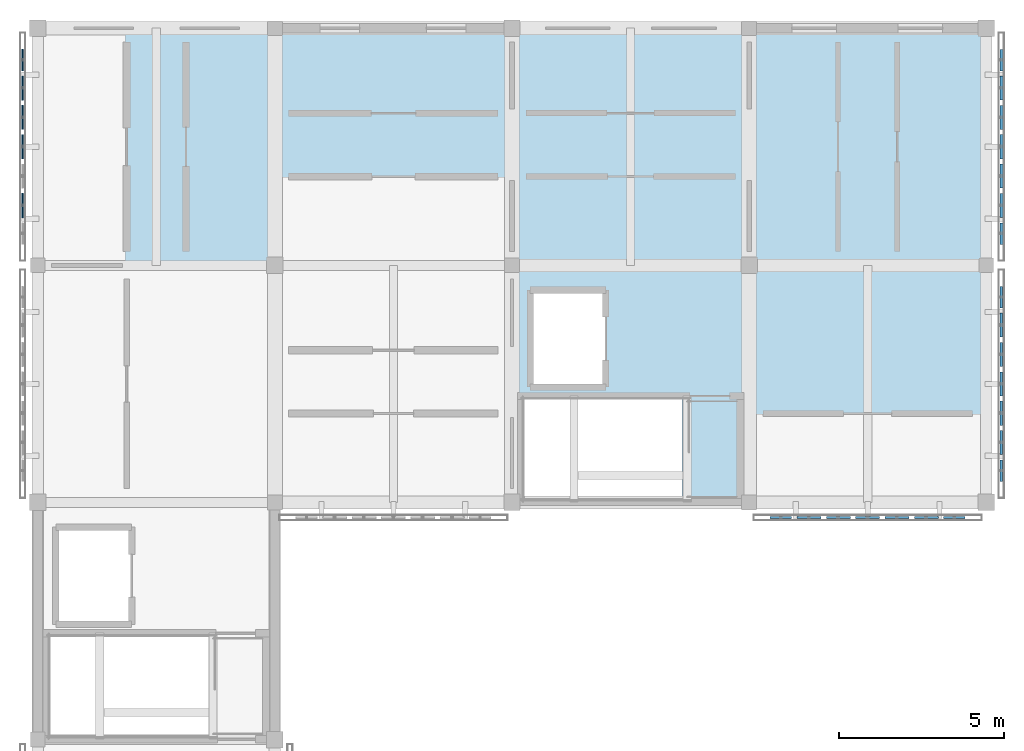
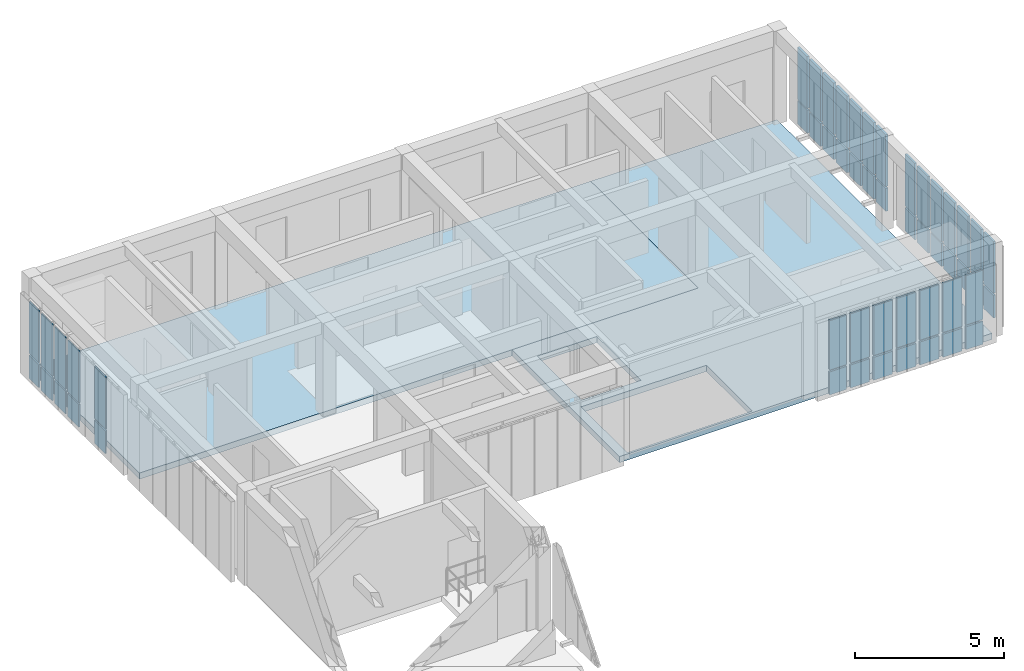
# One storey, part 9 of 14: 52 plates, 2 slabs, 4 elements without a shape of their own.
"""IFC4 building model written with IfcOpenShell, lengths in metres."""

from ifc_helpers import new_model, si_unit, direction, frame, origin, origin_2d, place, context, subcontext, project, spatial, polyline, rectangle, outline, extrude, material, layer, layer_set, type_object, element, aggregate, save


model = new_model("IFC4")

# Units and contexts
model_context = context("Model", 3, precision=1e-05, world=origin(), true_north=direction((0.0, 1.0)))
body_context = subcontext(model_context, "Body", "Model", "MODEL_VIEW")
ifc_project = project(units=[si_unit("LENGTHUNIT", "METRE"), si_unit("AREAUNIT", "SQUARE_METRE"), si_unit("VOLUMEUNIT", "CUBIC_METRE"), si_unit("PLANEANGLEUNIT", "RADIAN"), si_unit("MASSUNIT", "GRAM", prefix="KILO")], contexts=[model_context])

# Site, building, storey
site_placement = place(None, origin())
site = spatial("IfcSite", under=ifc_project, at=site_placement, CompositionType="ELEMENT")
building_placement = place(site_placement, origin())
building = spatial("IfcBuilding", under=site, at=building_placement, Name="Aldebral Square Health Centre", CompositionType="ELEMENT")
storey_placement = place(building_placement, frame((0.0, 0.0, 21.60009765625)))
storey = spatial("IfcBuildingStorey", under=building, at=storey_placement, Name="L05", CompositionType="ELEMENT", Elevation=21.60009765625)

# Curtain wall, plates
ifc_material_1 = material(Name="Aluminium and low-E solar glass", Category="aluminium")
curtain_wall_type = type_object("IfcCurtainWallType", Name="CW-FIN-SYS", PredefinedType="USERDEFINED", material=ifc_material_1)
curtain_wall_1_placement = place(storey_placement, origin())
curtain_wall_1 = element("IfcCurtainWall", 1, at=curtain_wall_1_placement, inside=storey, type_object=curtain_wall_type, Name="L05 V4 finned curtain wall L05-V4-00-15-W", ObjectType="SOLAR_CURTAIN_WALL", PredefinedType="USERDEFINED")
ifc_material_2 = material(Name="Solar-control low-E double glass", Category="glass")
ifc_layer_1 = layer(ifc_material_2, 0.050048828125, Name="Solar-control low-E double glass", Category="glass")
ifc_layer_set_1 = layer_set([ifc_layer_1], Name="Solar-control low-E double glass")
plate_type_1 = type_object("IfcPlateType", Name="CWP-GLZ-4", PredefinedType="CURTAIN_PANEL", material=ifc_layer_set_1)
plate_1_placement = place(storey_placement, frame((-0.4599609375, 114.234375, 0.074951171875), z_axis=(0.0, 0.0, 1.0), x_axis=(0.0, -1.0, 0.0)))
plate_1 = element("IfcPlate", 2, at=plate_1_placement, type_object=plate_type_1, Name="CW1 panel 1.1", PredefinedType="CURTAIN_PANEL", context=body_context, shape_type="SweptSolid", body=[
    extrude(rectangle(XDim=0.6513671875, YDim=0.050048828125, at=origin_2d()), origin(), (0.0, 0.0, 1.0), 0.9375),
])
plate_2_placement = place(storey_placement, frame((-0.4599609375, 114.234375, 1.08740234375), z_axis=(0.0, 0.0, 1.0), x_axis=(0.0, -1.0, 0.0)))
plate_2 = element("IfcPlate", 3, at=plate_2_placement, type_object=plate_type_1, Name="CW1 panel 1.2", PredefinedType="CURTAIN_PANEL", context=body_context, shape_type="SweptSolid", body=[
    extrude(rectangle(XDim=0.6513671875, YDim=0.050048828125, at=origin_2d()), origin(), (0.0, 0.0, 1.0), 2.117431640625),
])
plate_3_placement = place(storey_placement, frame((-0.4599609375, 113.3828125, 0.074951171875), z_axis=(0.0, 0.0, 1.0), x_axis=(0.0, -1.0, 0.0)))
plate_3 = element("IfcPlate", 4, at=plate_3_placement, type_object=plate_type_1, Name="CW1 panel 2.1", PredefinedType="CURTAIN_PANEL", context=body_context, shape_type="SweptSolid", body=[
    extrude(rectangle(XDim=0.7314453125, YDim=0.050048828125, at=origin_2d()), origin(), (0.0, 0.0, 1.0), 0.9375),
])
plate_4_placement = place(storey_placement, frame((-0.4599609375, 113.3828125, 1.08740234375), z_axis=(0.0, 0.0, 1.0), x_axis=(0.0, -1.0, 0.0)))
plate_4 = element("IfcPlate", 5, at=plate_4_placement, type_object=plate_type_1, Name="CW1 panel 2.2", PredefinedType="CURTAIN_PANEL", context=body_context, shape_type="SweptSolid", body=[
    extrude(rectangle(XDim=0.7314453125, YDim=0.050048828125, at=origin_2d()), origin(), (0.0, 0.0, 1.0), 2.117431640625),
])
plate_5_placement = place(storey_placement, frame((-0.4599609375, 112.491455078125, 0.074951171875), z_axis=(0.0, 0.0, 1.0), x_axis=(0.0, -1.0, 0.0)))
plate_5 = element("IfcPlate", 6, at=plate_5_placement, type_object=plate_type_1, Name="CW1 panel 3.1", PredefinedType="CURTAIN_PANEL", context=body_context, shape_type="SweptSolid", body=[
    extrude(rectangle(XDim=0.7314453125, YDim=0.050048828125, at=origin_2d()), origin(), (0.0, 0.0, 1.0), 0.9375),
])
plate_6_placement = place(storey_placement, frame((-0.4599609375, 112.491455078125, 1.08740234375), z_axis=(0.0, 0.0, 1.0), x_axis=(0.0, -1.0, 0.0)))
plate_6 = element("IfcPlate", 7, at=plate_6_placement, type_object=plate_type_1, Name="CW1 panel 3.2", PredefinedType="CURTAIN_PANEL", context=body_context, shape_type="SweptSolid", body=[
    extrude(rectangle(XDim=0.7314453125, YDim=0.050048828125, at=origin_2d()), origin(), (0.0, 0.0, 1.0), 2.117431640625),
])
plate_7_placement = place(storey_placement, frame((-0.4599609375, 111.60009765625, 0.074951171875), z_axis=(0.0, 0.0, 1.0), x_axis=(0.0, -1.0, 0.0)))
plate_7 = element("IfcPlate", 8, at=plate_7_placement, type_object=plate_type_1, Name="CW1 panel 4.1", PredefinedType="CURTAIN_PANEL", context=body_context, shape_type="SweptSolid", body=[
    extrude(rectangle(XDim=0.7314453125, YDim=0.050048828125, at=origin_2d()), origin(), (0.0, 0.0, 1.0), 0.9375),
])
plate_8_placement = place(storey_placement, frame((-0.4599609375, 111.60009765625, 1.08740234375), z_axis=(0.0, 0.0, 1.0), x_axis=(0.0, -1.0, 0.0)))
plate_8 = element("IfcPlate", 9, at=plate_8_placement, type_object=plate_type_1, Name="CW1 panel 4.2", PredefinedType="CURTAIN_PANEL", context=body_context, shape_type="SweptSolid", body=[
    extrude(rectangle(XDim=0.7314453125, YDim=0.050048828125, at=origin_2d()), origin(), (0.0, 0.0, 1.0), 2.117431640625),
])
plate_9_placement = place(storey_placement, frame((-0.4599609375, 109.817138671875, 0.074951171875), z_axis=(0.0, 0.0, 1.0), x_axis=(0.0, -1.0, 0.0)))
plate_9 = element("IfcPlate", 10, at=plate_9_placement, type_object=plate_type_1, Name="CW1 panel 6.1", PredefinedType="CURTAIN_PANEL", context=body_context, shape_type="SweptSolid", body=[
    extrude(rectangle(XDim=0.7314453125, YDim=0.050048828125, at=origin_2d()), origin(), (0.0, 0.0, 1.0), 0.9375),
])
plate_10_placement = place(storey_placement, frame((-0.4599609375, 109.817138671875, 1.08740234375), z_axis=(0.0, 0.0, 1.0), x_axis=(0.0, -1.0, 0.0)))
plate_10 = element("IfcPlate", 11, at=plate_10_placement, type_object=plate_type_1, Name="CW1 panel 6.2", PredefinedType="CURTAIN_PANEL", context=body_context, shape_type="SweptSolid", body=[
    extrude(rectangle(XDim=0.7314453125, YDim=0.050048828125, at=origin_2d()), origin(), (0.0, 0.0, 1.0), 2.117431640625),
])
aggregate(curtain_wall_1, [plate_1, plate_2, plate_3, plate_4, plate_5, plate_6, plate_7, plate_8, plate_9, plate_10])

curtain_wall_2_placement = place(storey_placement, origin())
curtain_wall_2 = element("IfcCurtainWall", 12, at=curtain_wall_2_placement, inside=storey, type_object=curtain_wall_type, Name="L05 V4 finned curtain wall L05-V4-03-14-S", ObjectType="SOLAR_CURTAIN_WALL", PredefinedType="USERDEFINED")
ifc_layer_2 = layer(ifc_material_2, 0.070068359375, Name="Solar-control low-E double glass", Category="glass")
ifc_layer_set_2 = layer_set([ifc_layer_2], Name="Solar-control low-E double glass")
plate_type_2 = type_object("IfcPlateType", Name="CWP-GLZ-6", PredefinedType="CURTAIN_PANEL", material=ifc_layer_set_2)
plate_11_placement = place(storey_placement, frame((22.565673828125, 100.340087890625, 0.074951171875), z_axis=(0.0, 0.0, 1.0), x_axis=(1.0, 0.0, 0.0)))
plate_11 = element("IfcPlate", 13, at=plate_11_placement, type_object=plate_type_2, Name="CW1 panel 1.1", PredefinedType="CURTAIN_PANEL", context=body_context, shape_type="SweptSolid", body=[
    extrude(rectangle(XDim=0.6513671875, YDim=0.070068359375, at=origin_2d()), origin(), (0.0, 0.0, 1.0), 0.9375),
])
plate_12_placement = place(storey_placement, frame((22.565673828125, 100.340087890625, 1.08740234375), z_axis=(0.0, 0.0, 1.0), x_axis=(1.0, 0.0, 0.0)))
plate_12 = element("IfcPlate", 14, at=plate_12_placement, type_object=plate_type_2, Name="CW1 panel 1.2", PredefinedType="CURTAIN_PANEL", context=body_context, shape_type="SweptSolid", body=[
    extrude(rectangle(XDim=0.6513671875, YDim=0.070068359375, at=origin_2d()), origin(), (0.0, 0.0, 1.0), 2.017578125),
])
plate_13_placement = place(storey_placement, frame((23.417236328125, 100.340087890625, 0.074951171875), z_axis=(0.0, 0.0, 1.0), x_axis=(1.0, 0.0, 0.0)))
plate_13 = element("IfcPlate", 15, at=plate_13_placement, type_object=plate_type_2, Name="CW1 panel 2.1", PredefinedType="CURTAIN_PANEL", context=body_context, shape_type="SweptSolid", body=[
    extrude(rectangle(XDim=0.7314453125, YDim=0.070068359375, at=origin_2d()), origin(), (0.0, 0.0, 1.0), 0.9375),
])
plate_14_placement = place(storey_placement, frame((23.417236328125, 100.340087890625, 1.08740234375), z_axis=(0.0, 0.0, 1.0), x_axis=(1.0, 0.0, 0.0)))
plate_14 = element("IfcPlate", 16, at=plate_14_placement, type_object=plate_type_2, Name="CW1 panel 2.2", PredefinedType="CURTAIN_PANEL", context=body_context, shape_type="SweptSolid", body=[
    extrude(rectangle(XDim=0.7314453125, YDim=0.070068359375, at=origin_2d()), origin(), (0.0, 0.0, 1.0), 2.017578125),
])
plate_15_placement = place(storey_placement, frame((24.30859375, 100.340087890625, 0.074951171875), z_axis=(0.0, 0.0, 1.0), x_axis=(1.0, 0.0, 0.0)))
plate_15 = element("IfcPlate", 17, at=plate_15_placement, type_object=plate_type_2, Name="CW1 panel 3.1", PredefinedType="CURTAIN_PANEL", context=body_context, shape_type="SweptSolid", body=[
    extrude(rectangle(XDim=0.7314453125, YDim=0.070068359375, at=origin_2d()), origin(), (0.0, 0.0, 1.0), 0.9375),
])
plate_16_placement = place(storey_placement, frame((24.30859375, 100.340087890625, 1.08740234375), z_axis=(0.0, 0.0, 1.0), x_axis=(1.0, 0.0, 0.0)))
plate_16 = element("IfcPlate", 18, at=plate_16_placement, type_object=plate_type_2, Name="CW1 panel 3.2", PredefinedType="CURTAIN_PANEL", context=body_context, shape_type="SweptSolid", body=[
    extrude(rectangle(XDim=0.7314453125, YDim=0.070068359375, at=origin_2d()), origin(), (0.0, 0.0, 1.0), 2.017578125),
])
plate_17_placement = place(storey_placement, frame((25.199951171875, 100.340087890625, 0.074951171875), z_axis=(0.0, 0.0, 1.0), x_axis=(1.0, 0.0, 0.0)))
plate_17 = element("IfcPlate", 19, at=plate_17_placement, type_object=plate_type_2, Name="CW1 panel 4.1", PredefinedType="CURTAIN_PANEL", context=body_context, shape_type="SweptSolid", body=[
    extrude(rectangle(XDim=0.7314453125, YDim=0.070068359375, at=origin_2d()), origin(), (0.0, 0.0, 1.0), 0.9375),
])
plate_18_placement = place(storey_placement, frame((25.199951171875, 100.340087890625, 1.08740234375), z_axis=(0.0, 0.0, 1.0), x_axis=(1.0, 0.0, 0.0)))
plate_18 = element("IfcPlate", 20, at=plate_18_placement, type_object=plate_type_2, Name="CW1 panel 4.2", PredefinedType="CURTAIN_PANEL", context=body_context, shape_type="SweptSolid", body=[
    extrude(rectangle(XDim=0.7314453125, YDim=0.070068359375, at=origin_2d()), origin(), (0.0, 0.0, 1.0), 2.017578125),
])
plate_19_placement = place(storey_placement, frame((26.09130859375, 100.340087890625, 0.074951171875), z_axis=(0.0, 0.0, 1.0), x_axis=(1.0, 0.0, 0.0)))
plate_19 = element("IfcPlate", 21, at=plate_19_placement, type_object=plate_type_2, Name="CW1 panel 5.1", PredefinedType="CURTAIN_PANEL", context=body_context, shape_type="SweptSolid", body=[
    extrude(rectangle(XDim=0.7314453125, YDim=0.070068359375, at=origin_2d()), origin(), (0.0, 0.0, 1.0), 0.9375),
])
plate_20_placement = place(storey_placement, frame((26.09130859375, 100.340087890625, 1.08740234375), z_axis=(0.0, 0.0, 1.0), x_axis=(1.0, 0.0, 0.0)))
plate_20 = element("IfcPlate", 22, at=plate_20_placement, type_object=plate_type_2, Name="CW1 panel 5.2", PredefinedType="CURTAIN_PANEL", context=body_context, shape_type="SweptSolid", body=[
    extrude(rectangle(XDim=0.7314453125, YDim=0.070068359375, at=origin_2d()), origin(), (0.0, 0.0, 1.0), 2.017578125),
])
plate_21_placement = place(storey_placement, frame((26.98291015625, 100.340087890625, 0.074951171875), z_axis=(0.0, 0.0, 1.0), x_axis=(1.0, 0.0, 0.0)))
plate_21 = element("IfcPlate", 23, at=plate_21_placement, type_object=plate_type_2, Name="CW1 panel 6.1", PredefinedType="CURTAIN_PANEL", context=body_context, shape_type="SweptSolid", body=[
    extrude(rectangle(XDim=0.7314453125, YDim=0.070068359375, at=origin_2d()), origin(), (0.0, 0.0, 1.0), 0.9375),
])
plate_22_placement = place(storey_placement, frame((26.98291015625, 100.340087890625, 1.08740234375), z_axis=(0.0, 0.0, 1.0), x_axis=(1.0, 0.0, 0.0)))
plate_22 = element("IfcPlate", 24, at=plate_22_placement, type_object=plate_type_2, Name="CW1 panel 6.2", PredefinedType="CURTAIN_PANEL", context=body_context, shape_type="SweptSolid", body=[
    extrude(rectangle(XDim=0.7314453125, YDim=0.070068359375, at=origin_2d()), origin(), (0.0, 0.0, 1.0), 2.017578125),
])
plate_23_placement = place(storey_placement, frame((27.834228515625, 100.340087890625, 0.074951171875), z_axis=(0.0, 0.0, 1.0), x_axis=(1.0, 0.0, 0.0)))
plate_23 = element("IfcPlate", 25, at=plate_23_placement, type_object=plate_type_2, Name="CW1 panel 7.1", PredefinedType="CURTAIN_PANEL", context=body_context, shape_type="SweptSolid", body=[
    extrude(rectangle(XDim=0.6513671875, YDim=0.070068359375, at=origin_2d()), origin(), (0.0, 0.0, 1.0), 0.9375),
])
plate_24_placement = place(storey_placement, frame((27.834228515625, 100.340087890625, 1.08740234375), z_axis=(0.0, 0.0, 1.0), x_axis=(1.0, 0.0, 0.0)))
plate_24 = element("IfcPlate", 26, at=plate_24_placement, type_object=plate_type_2, Name="CW1 panel 7.2", PredefinedType="CURTAIN_PANEL", context=body_context, shape_type="SweptSolid", body=[
    extrude(rectangle(XDim=0.6513671875, YDim=0.070068359375, at=origin_2d()), origin(), (0.0, 0.0, 1.0), 2.017578125),
])
aggregate(curtain_wall_2, [plate_11, plate_12, plate_13, plate_14, plate_15, plate_16, plate_17, plate_18, plate_19, plate_20, plate_21, plate_22, plate_23, plate_24])

curtain_wall_3_placement = place(storey_placement, origin())
curtain_wall_3 = element("IfcCurtainWall", 27, at=curtain_wall_3_placement, inside=storey, type_object=curtain_wall_type, Name="L05 V4 finned curtain wall L05-V4-03-14-E", ObjectType="SOLAR_CURTAIN_WALL", PredefinedType="USERDEFINED")
ifc_layer_3 = layer(ifc_material_2, 0.080078125, Name="Solar-control low-E double glass", Category="glass")
ifc_layer_set_3 = layer_set([ifc_layer_3], Name="Solar-control low-E double glass")
plate_type_3 = type_object("IfcPlateType", Name="CWP-GLZ-7", PredefinedType="CURTAIN_PANEL", material=ifc_layer_set_3)
plate_25_placement = place(storey_placement, frame((29.260009765625, 101.765625, 0.074951171875), z_axis=(0.0, 0.0, 1.0), x_axis=(0.0, 1.0, 0.0)))
plate_25 = element("IfcPlate", 28, at=plate_25_placement, type_object=plate_type_3, Name="CW1 panel 1.1", PredefinedType="CURTAIN_PANEL", context=body_context, shape_type="SweptSolid", body=[
    extrude(rectangle(XDim=0.6513671875, YDim=0.080078125, at=origin_2d()), origin(), (0.0, 0.0, 1.0), 0.9375),
])
plate_26_placement = place(storey_placement, frame((29.260009765625, 101.765625, 1.08740234375), z_axis=(0.0, 0.0, 1.0), x_axis=(0.0, 1.0, 0.0)))
plate_26 = element("IfcPlate", 29, at=plate_26_placement, type_object=plate_type_3, Name="CW1 panel 1.2", PredefinedType="CURTAIN_PANEL", context=body_context, shape_type="SweptSolid", body=[
    extrude(rectangle(XDim=0.6513671875, YDim=0.080078125, at=origin_2d()), origin(), (0.0, 0.0, 1.0), 2.117431640625),
])
plate_27_placement = place(storey_placement, frame((29.260009765625, 102.6171875, 0.074951171875), z_axis=(0.0, 0.0, 1.0), x_axis=(0.0, 1.0, 0.0)))
plate_27 = element("IfcPlate", 30, at=plate_27_placement, type_object=plate_type_3, Name="CW1 panel 2.1", PredefinedType="CURTAIN_PANEL", context=body_context, shape_type="SweptSolid", body=[
    extrude(rectangle(XDim=0.7314453125, YDim=0.080078125, at=origin_2d()), origin(), (0.0, 0.0, 1.0), 0.9375),
])
plate_28_placement = place(storey_placement, frame((29.260009765625, 102.6171875, 1.08740234375), z_axis=(0.0, 0.0, 1.0), x_axis=(0.0, 1.0, 0.0)))
plate_28 = element("IfcPlate", 31, at=plate_28_placement, type_object=plate_type_3, Name="CW1 panel 2.2", PredefinedType="CURTAIN_PANEL", context=body_context, shape_type="SweptSolid", body=[
    extrude(rectangle(XDim=0.7314453125, YDim=0.080078125, at=origin_2d()), origin(), (0.0, 0.0, 1.0), 2.117431640625),
])
plate_29_placement = place(storey_placement, frame((29.260009765625, 103.508544921875, 0.074951171875), z_axis=(0.0, 0.0, 1.0), x_axis=(0.0, 1.0, 0.0)))
plate_29 = element("IfcPlate", 32, at=plate_29_placement, type_object=plate_type_3, Name="CW1 panel 3.1", PredefinedType="CURTAIN_PANEL", context=body_context, shape_type="SweptSolid", body=[
    extrude(rectangle(XDim=0.7314453125, YDim=0.080078125, at=origin_2d()), origin(), (0.0, 0.0, 1.0), 0.9375),
])
plate_30_placement = place(storey_placement, frame((29.260009765625, 103.508544921875, 1.08740234375), z_axis=(0.0, 0.0, 1.0), x_axis=(0.0, 1.0, 0.0)))
plate_30 = element("IfcPlate", 33, at=plate_30_placement, type_object=plate_type_3, Name="CW1 panel 3.2", PredefinedType="CURTAIN_PANEL", context=body_context, shape_type="SweptSolid", body=[
    extrude(rectangle(XDim=0.7314453125, YDim=0.080078125, at=origin_2d()), origin(), (0.0, 0.0, 1.0), 2.117431640625),
])
plate_31_placement = place(storey_placement, frame((29.260009765625, 104.39990234375, 0.074951171875), z_axis=(0.0, 0.0, 1.0), x_axis=(0.0, 1.0, 0.0)))
plate_31 = element("IfcPlate", 34, at=plate_31_placement, type_object=plate_type_3, Name="CW1 panel 4.1", PredefinedType="CURTAIN_PANEL", context=body_context, shape_type="SweptSolid", body=[
    extrude(rectangle(XDim=0.7314453125, YDim=0.080078125, at=origin_2d()), origin(), (0.0, 0.0, 1.0), 0.9375),
])
plate_32_placement = place(storey_placement, frame((29.260009765625, 104.39990234375, 1.08740234375), z_axis=(0.0, 0.0, 1.0), x_axis=(0.0, 1.0, 0.0)))
plate_32 = element("IfcPlate", 35, at=plate_32_placement, type_object=plate_type_3, Name="CW1 panel 4.2", PredefinedType="CURTAIN_PANEL", context=body_context, shape_type="SweptSolid", body=[
    extrude(rectangle(XDim=0.7314453125, YDim=0.080078125, at=origin_2d()), origin(), (0.0, 0.0, 1.0), 2.117431640625),
])
plate_33_placement = place(storey_placement, frame((29.260009765625, 105.29150390625, 0.074951171875), z_axis=(0.0, 0.0, 1.0), x_axis=(0.0, 1.0, 0.0)))
plate_33 = element("IfcPlate", 36, at=plate_33_placement, type_object=plate_type_3, Name="CW1 panel 5.1", PredefinedType="CURTAIN_PANEL", context=body_context, shape_type="SweptSolid", body=[
    extrude(rectangle(XDim=0.7314453125, YDim=0.080078125, at=origin_2d()), origin(), (0.0, 0.0, 1.0), 0.9375),
])
plate_34_placement = place(storey_placement, frame((29.260009765625, 105.29150390625, 1.08740234375), z_axis=(0.0, 0.0, 1.0), x_axis=(0.0, 1.0, 0.0)))
plate_34 = element("IfcPlate", 37, at=plate_34_placement, type_object=plate_type_3, Name="CW1 panel 5.2", PredefinedType="CURTAIN_PANEL", context=body_context, shape_type="SweptSolid", body=[
    extrude(rectangle(XDim=0.7314453125, YDim=0.080078125, at=origin_2d()), origin(), (0.0, 0.0, 1.0), 2.117431640625),
])
plate_35_placement = place(storey_placement, frame((29.260009765625, 106.182861328125, 0.074951171875), z_axis=(0.0, 0.0, 1.0), x_axis=(0.0, 1.0, 0.0)))
plate_35 = element("IfcPlate", 38, at=plate_35_placement, type_object=plate_type_3, Name="CW1 panel 6.1", PredefinedType="CURTAIN_PANEL", context=body_context, shape_type="SweptSolid", body=[
    extrude(rectangle(XDim=0.7314453125, YDim=0.080078125, at=origin_2d()), origin(), (0.0, 0.0, 1.0), 0.9375),
])
plate_36_placement = place(storey_placement, frame((29.260009765625, 106.182861328125, 1.08740234375), z_axis=(0.0, 0.0, 1.0), x_axis=(0.0, 1.0, 0.0)))
plate_36 = element("IfcPlate", 39, at=plate_36_placement, type_object=plate_type_3, Name="CW1 panel 6.2", PredefinedType="CURTAIN_PANEL", context=body_context, shape_type="SweptSolid", body=[
    extrude(rectangle(XDim=0.7314453125, YDim=0.080078125, at=origin_2d()), origin(), (0.0, 0.0, 1.0), 2.117431640625),
])
plate_37_placement = place(storey_placement, frame((29.260009765625, 107.0341796875, 0.074951171875), z_axis=(0.0, 0.0, 1.0), x_axis=(0.0, 1.0, 0.0)))
plate_37 = element("IfcPlate", 40, at=plate_37_placement, type_object=plate_type_3, Name="CW1 panel 7.1", PredefinedType="CURTAIN_PANEL", context=body_context, shape_type="SweptSolid", body=[
    extrude(rectangle(XDim=0.6513671875, YDim=0.080078125, at=origin_2d()), origin(), (0.0, 0.0, 1.0), 0.9375),
])
plate_38_placement = place(storey_placement, frame((29.260009765625, 107.0341796875, 1.08740234375), z_axis=(0.0, 0.0, 1.0), x_axis=(0.0, 1.0, 0.0)))
plate_38 = element("IfcPlate", 41, at=plate_38_placement, type_object=plate_type_3, Name="CW1 panel 7.2", PredefinedType="CURTAIN_PANEL", context=body_context, shape_type="SweptSolid", body=[
    extrude(rectangle(XDim=0.6513671875, YDim=0.080078125, at=origin_2d()), origin(), (0.0, 0.0, 1.0), 2.117431640625),
])
aggregate(curtain_wall_3, [plate_25, plate_26, plate_27, plate_28, plate_29, plate_30, plate_31, plate_32, plate_33, plate_34, plate_35, plate_36, plate_37, plate_38])

curtain_wall_4_placement = place(storey_placement, origin())
curtain_wall_4 = element("IfcCurtainWall", 42, at=curtain_wall_4_placement, inside=storey, type_object=curtain_wall_type, Name="L05 V4 finned curtain wall L05-V4-03-15-E", ObjectType="SOLAR_CURTAIN_WALL", PredefinedType="USERDEFINED")
ifc_layer_4 = layer(ifc_material_2, 0.090087890625, Name="Solar-control low-E double glass", Category="glass")
ifc_layer_set_4 = layer_set([ifc_layer_4], Name="Solar-control low-E double glass")
plate_type_4 = type_object("IfcPlateType", Name="CWP-GLZ-8", PredefinedType="CURTAIN_PANEL", material=ifc_layer_set_4)
plate_39_placement = place(storey_placement, frame((29.260009765625, 108.9658203125, 0.074951171875), z_axis=(0.0, 0.0, 1.0), x_axis=(0.0, 1.0, 0.0)))
plate_39 = element("IfcPlate", 43, at=plate_39_placement, type_object=plate_type_4, Name="CW1 panel 1.1", PredefinedType="CURTAIN_PANEL", context=body_context, shape_type="SweptSolid", body=[
    extrude(rectangle(XDim=0.6513671875, YDim=0.090087890625, at=origin_2d()), origin(), (0.0, 0.0, 1.0), 0.9375),
])
plate_40_placement = place(storey_placement, frame((29.260009765625, 108.9658203125, 1.08740234375), z_axis=(0.0, 0.0, 1.0), x_axis=(0.0, 1.0, 0.0)))
plate_40 = element("IfcPlate", 44, at=plate_40_placement, type_object=plate_type_4, Name="CW1 panel 1.2", PredefinedType="CURTAIN_PANEL", context=body_context, shape_type="SweptSolid", body=[
    extrude(rectangle(XDim=0.6513671875, YDim=0.090087890625, at=origin_2d()), origin(), (0.0, 0.0, 1.0), 2.117431640625),
])
plate_41_placement = place(storey_placement, frame((29.260009765625, 109.817138671875, 0.074951171875), z_axis=(0.0, 0.0, 1.0), x_axis=(0.0, 1.0, 0.0)))
plate_41 = element("IfcPlate", 45, at=plate_41_placement, type_object=plate_type_4, Name="CW1 panel 2.1", PredefinedType="CURTAIN_PANEL", context=body_context, shape_type="SweptSolid", body=[
    extrude(rectangle(XDim=0.7314453125, YDim=0.090087890625, at=origin_2d()), origin(), (0.0, 0.0, 1.0), 0.9375),
])
plate_42_placement = place(storey_placement, frame((29.260009765625, 109.817138671875, 1.08740234375), z_axis=(0.0, 0.0, 1.0), x_axis=(0.0, 1.0, 0.0)))
plate_42 = element("IfcPlate", 46, at=plate_42_placement, type_object=plate_type_4, Name="CW1 panel 2.2", PredefinedType="CURTAIN_PANEL", context=body_context, shape_type="SweptSolid", body=[
    extrude(rectangle(XDim=0.7314453125, YDim=0.090087890625, at=origin_2d()), origin(), (0.0, 0.0, 1.0), 2.117431640625),
])
plate_43_placement = place(storey_placement, frame((29.260009765625, 110.70849609375, 0.074951171875), z_axis=(0.0, 0.0, 1.0), x_axis=(0.0, 1.0, 0.0)))
plate_43 = element("IfcPlate", 47, at=plate_43_placement, type_object=plate_type_4, Name="CW1 panel 3.1", PredefinedType="CURTAIN_PANEL", context=body_context, shape_type="SweptSolid", body=[
    extrude(rectangle(XDim=0.7314453125, YDim=0.090087890625, at=origin_2d()), origin(), (0.0, 0.0, 1.0), 0.9375),
])
plate_44_placement = place(storey_placement, frame((29.260009765625, 110.70849609375, 1.08740234375), z_axis=(0.0, 0.0, 1.0), x_axis=(0.0, 1.0, 0.0)))
plate_44 = element("IfcPlate", 48, at=plate_44_placement, type_object=plate_type_4, Name="CW1 panel 3.2", PredefinedType="CURTAIN_PANEL", context=body_context, shape_type="SweptSolid", body=[
    extrude(rectangle(XDim=0.7314453125, YDim=0.090087890625, at=origin_2d()), origin(), (0.0, 0.0, 1.0), 2.117431640625),
])
plate_45_placement = place(storey_placement, frame((29.260009765625, 111.60009765625, 0.074951171875), z_axis=(0.0, 0.0, 1.0), x_axis=(0.0, 1.0, 0.0)))
plate_45 = element("IfcPlate", 49, at=plate_45_placement, type_object=plate_type_4, Name="CW1 panel 4.1", PredefinedType="CURTAIN_PANEL", context=body_context, shape_type="SweptSolid", body=[
    extrude(rectangle(XDim=0.7314453125, YDim=0.090087890625, at=origin_2d()), origin(), (0.0, 0.0, 1.0), 0.9375),
])
plate_46_placement = place(storey_placement, frame((29.260009765625, 111.60009765625, 1.08740234375), z_axis=(0.0, 0.0, 1.0), x_axis=(0.0, 1.0, 0.0)))
plate_46 = element("IfcPlate", 50, at=plate_46_placement, type_object=plate_type_4, Name="CW1 panel 4.2", PredefinedType="CURTAIN_PANEL", context=body_context, shape_type="SweptSolid", body=[
    extrude(rectangle(XDim=0.7314453125, YDim=0.090087890625, at=origin_2d()), origin(), (0.0, 0.0, 1.0), 2.117431640625),
])
plate_47_placement = place(storey_placement, frame((29.260009765625, 112.491455078125, 0.074951171875), z_axis=(0.0, 0.0, 1.0), x_axis=(0.0, 1.0, 0.0)))
plate_47 = element("IfcPlate", 51, at=plate_47_placement, type_object=plate_type_4, Name="CW1 panel 5.1", PredefinedType="CURTAIN_PANEL", context=body_context, shape_type="SweptSolid", body=[
    extrude(rectangle(XDim=0.7314453125, YDim=0.090087890625, at=origin_2d()), origin(), (0.0, 0.0, 1.0), 0.9375),
])
plate_48_placement = place(storey_placement, frame((29.260009765625, 112.491455078125, 1.08740234375), z_axis=(0.0, 0.0, 1.0), x_axis=(0.0, 1.0, 0.0)))
plate_48 = element("IfcPlate", 52, at=plate_48_placement, type_object=plate_type_4, Name="CW1 panel 5.2", PredefinedType="CURTAIN_PANEL", context=body_context, shape_type="SweptSolid", body=[
    extrude(rectangle(XDim=0.7314453125, YDim=0.090087890625, at=origin_2d()), origin(), (0.0, 0.0, 1.0), 2.117431640625),
])
plate_49_placement = place(storey_placement, frame((29.260009765625, 113.3828125, 0.074951171875), z_axis=(0.0, 0.0, 1.0), x_axis=(0.0, 1.0, 0.0)))
plate_49 = element("IfcPlate", 53, at=plate_49_placement, type_object=plate_type_4, Name="CW1 panel 6.1", PredefinedType="CURTAIN_PANEL", context=body_context, shape_type="SweptSolid", body=[
    extrude(rectangle(XDim=0.7314453125, YDim=0.090087890625, at=origin_2d()), origin(), (0.0, 0.0, 1.0), 0.9375),
])
plate_50_placement = place(storey_placement, frame((29.260009765625, 113.3828125, 1.08740234375), z_axis=(0.0, 0.0, 1.0), x_axis=(0.0, 1.0, 0.0)))
plate_50 = element("IfcPlate", 54, at=plate_50_placement, type_object=plate_type_4, Name="CW1 panel 6.2", PredefinedType="CURTAIN_PANEL", context=body_context, shape_type="SweptSolid", body=[
    extrude(rectangle(XDim=0.7314453125, YDim=0.090087890625, at=origin_2d()), origin(), (0.0, 0.0, 1.0), 2.117431640625),
])
plate_51_placement = place(storey_placement, frame((29.260009765625, 114.234375, 0.074951171875), z_axis=(0.0, 0.0, 1.0), x_axis=(0.0, 1.0, 0.0)))
plate_51 = element("IfcPlate", 55, at=plate_51_placement, type_object=plate_type_4, Name="CW1 panel 7.1", PredefinedType="CURTAIN_PANEL", context=body_context, shape_type="SweptSolid", body=[
    extrude(rectangle(XDim=0.6513671875, YDim=0.090087890625, at=origin_2d()), origin(), (0.0, 0.0, 1.0), 0.9375),
])
plate_52_placement = place(storey_placement, frame((29.260009765625, 114.234375, 1.08740234375), z_axis=(0.0, 0.0, 1.0), x_axis=(0.0, 1.0, 0.0)))
plate_52 = element("IfcPlate", 56, at=plate_52_placement, type_object=plate_type_4, Name="CW1 panel 7.2", PredefinedType="CURTAIN_PANEL", context=body_context, shape_type="SweptSolid", body=[
    extrude(rectangle(XDim=0.6513671875, YDim=0.090087890625, at=origin_2d()), origin(), (0.0, 0.0, 1.0), 2.117431640625),
])
aggregate(curtain_wall_4, [plate_39, plate_40, plate_41, plate_42, plate_43, plate_44, plate_45, plate_46, plate_47, plate_48, plate_49, plate_50, plate_51, plate_52])

# Slabs
ifc_material_3 = material(Name="Concrete C35/45", Category="concrete")
ifc_layer_5 = layer(ifc_material_3, 0.25, Name="Concrete C35/45", Category="concrete")
ifc_layer_set_5 = layer_set([ifc_layer_5], Name="Concrete C35/45")
slab_type = type_object("IfcSlabType", Name="SL-FLR-250", PredefinedType="FLOOR", material=ifc_layer_set_5)
slab_1_placement = place(storey_placement, frame((0.0, 0.0, -0.25)))
element("IfcSlab", 57, at=slab_1_placement, inside=storey, type_object=slab_type, Name="L05 V4 floor slab 4", PredefinedType="FLOOR", context=body_context, shape_type="SweptSolid", body=[
    extrude(outline(polyline([(0.0, 115.199951171875), (7.199951171875, 115.199951171875), (14.39990234375, 115.199951171875), (21.60009765625, 115.199951171875), (21.60009765625, 108.0), (14.39990234375, 108.0), (7.199951171875, 108.0), (0.0, 108.0), (0.0, 115.199951171875)])), origin(), (0.0, 0.0, 1.0), 0.25),
])
slab_2_placement = place(storey_placement, frame((0.0, 0.0, -0.25)))
element("IfcSlab", 58, at=slab_2_placement, inside=storey, type_object=slab_type, Name="L05 V4 floor slab 5", PredefinedType="FLOOR", context=body_context, shape_type="SweptSolid", body=[
    extrude(outline(polyline([(14.39990234375, 108.0), (21.60009765625, 108.0), (21.60009765625, 115.199951171875), (28.800048828125, 115.199951171875), (28.800048828125, 108.0), (28.800048828125, 100.800048828125), (21.60009765625, 100.800048828125), (14.39990234375, 100.800048828125), (14.39990234375, 108.0)]), holes=[polyline([(14.739990234375, 100.8798828125), (19.580078125, 100.8798828125), (19.580078125, 103.9599609375), (14.739990234375, 103.9599609375), (14.739990234375, 100.8798828125)]), polyline([(14.949951171875, 104.300048828125), (17.25, 104.300048828125), (17.25, 107.25), (14.949951171875, 107.25), (14.949951171875, 104.300048828125)])]), origin(), (0.0, 0.0, 1.0), 0.25),
])

save(model, "model.ifc")
